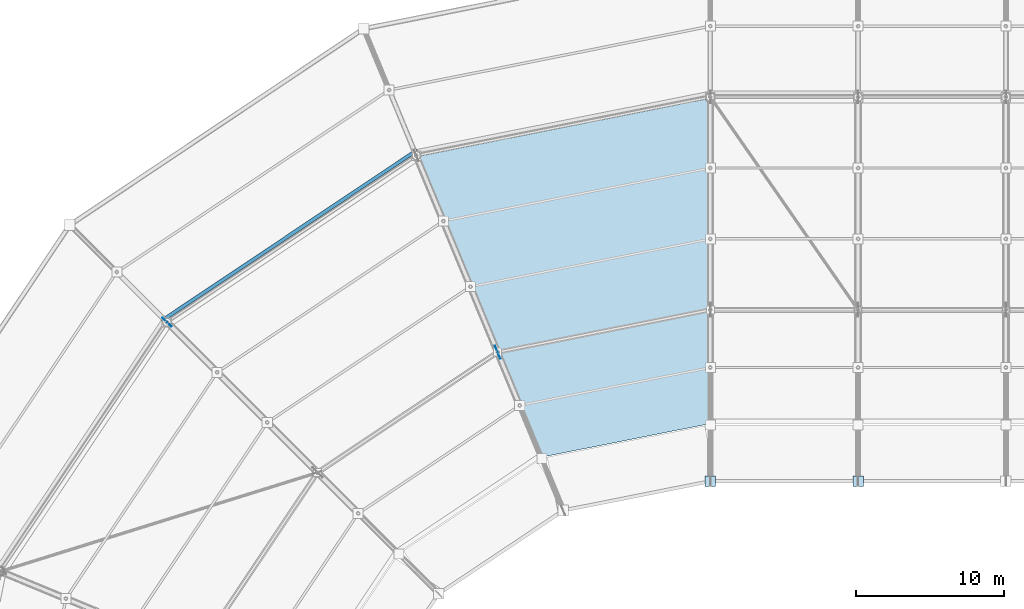
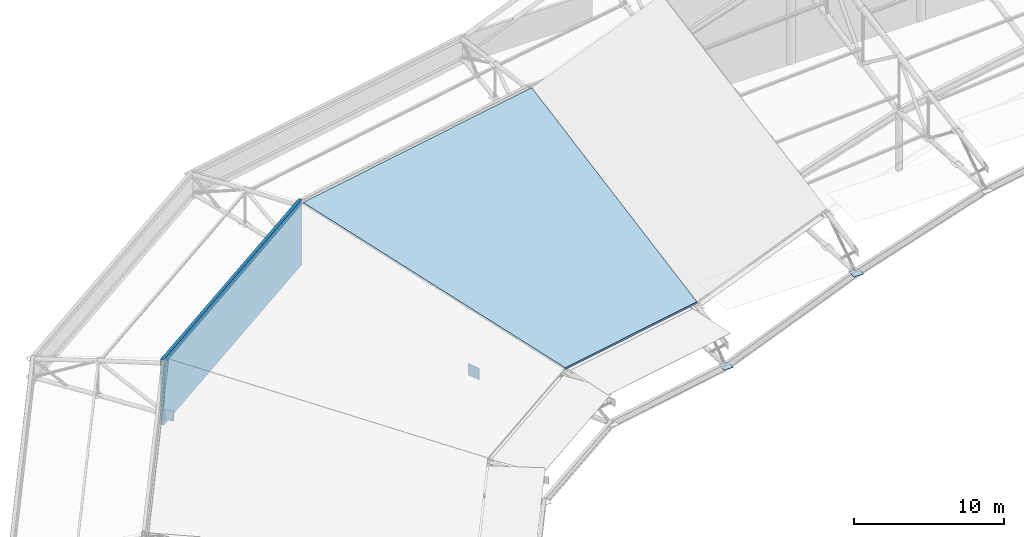
# One storey, part 110 of 146: 5 plates, 1 slab.
"""IFC4 building model written with IfcOpenShell, lengths in metres."""

from ifc_helpers import new_model, si_unit, direction, frame, origin, origin_2d, place, context, subcontext, project, spatial, polyline, rectangle, outline, extrude, material, layer, layer_set, type_object, element, save


model = new_model("IFC4")

# Units and contexts
model_context = context("Model", 3, precision=1e-05, world=origin(), true_north=direction((0.0, 1.0)))
body_context = subcontext(model_context, "Body", "Model", "MODEL_VIEW")
ifc_project = project(units=[si_unit("LENGTHUNIT", "METRE"), si_unit("AREAUNIT", "SQUARE_METRE"), si_unit("VOLUMEUNIT", "CUBIC_METRE"), si_unit("PLANEANGLEUNIT", "RADIAN"), si_unit("MASSUNIT", "GRAM", prefix="KILO")], contexts=[model_context])

# Site, building, storey
site_placement = place(None, origin())
site = spatial("IfcSite", under=ifc_project, at=site_placement, CompositionType="ELEMENT")
building_placement = place(site_placement, origin())
building = spatial("IfcBuilding", under=site, at=building_placement, Name="Candeia Ridge Stadium", CompositionType="ELEMENT")
storey_placement = place(building_placement, frame((0.0, 0.0, 31.800048828125)))
storey = spatial("IfcBuildingStorey", under=building, at=storey_placement, Name="RF", CompositionType="ELEMENT", Elevation=31.800048828125)

# Plates
ifc_material_1 = material(Name="Aluminium Anodized Warm Bronze", Category="aluminium")
ifc_layer_1 = layer(ifc_material_1, 0.239990234375, Name="Aluminium Anodized Warm Bronze", Category="aluminium")
ifc_layer_set_1 = layer_set([ifc_layer_1], Name="Aluminium Anodized Warm Bronze")
plate_type_1 = type_object("IfcPlateType", Name="Crown Perforated Bronze Acoustic Screen", PredefinedType="SHEET", material=ifc_layer_set_1)
plate_1_placement = place(storey_placement, frame((42.512939453125, 137.634033203125, -0.3251953125), z_axis=(0.0, 0.0, 1.0), x_axis=(-0.831469627148, -0.555570210802, 0.0)))
element("IfcPlate", 1, at=plate_1_placement, inside=storey, type_object=plate_type_1, Name="Crown perforated bronze acoustic screen RF bay 09", PredefinedType="SHEET", context=body_context, shape_type="SweptSolid", body=[
    extrude(rectangle(XDim=20.798583984375, YDim=0.239990234375, at=origin_2d()), origin(), (0.0, 0.0, 1.0), 5.330078125),
])
ifc_material_2 = material(Name="Steel ASTM A572 Grade 50", Category="steel")
ifc_layer_2 = layer(ifc_material_2, 0.02490234375, Name="Steel ASTM A572 Grade 50", Category="steel")
ifc_layer_set_2 = layer_set([ifc_layer_2], Name="Steel ASTM A572 Grade 50")
plate_type_2 = type_object("IfcPlateType", Name="Hollow Section End Closure Plate CP2", PredefinedType="SHEET", material=ifc_layer_set_2)
for number, where, z_axis, x_axis, name in (
    (2, (81.0, 121.0, 2.10595703125), (0.0, 0.0, 1.0), (1.0, 0.0, 0.0), "Hollow section end closure plate BCAP-TIP-06"),
    (3, (71.0, 121.0, -1.972412109375), (0.0, 0.0, 1.0), (1.0, 0.0, 0.0), "Hollow section end closure plate BCAP-TIP-07"),
):
    element("IfcPlate", number, at=place(storey_placement, frame(where, z_axis=z_axis, x_axis=x_axis)), inside=storey, type_object=plate_type_2, Name=name, PredefinedType="SHEET", context=body_context, shape_type="SweptSolid", body=[
        extrude(rectangle(XDim=0.719970703125, YDim=0.719970703125, at=origin_2d()), origin(), (0.0, 0.0, 1.0), 0.02490234375),
    ])
ifc_layer_3 = layer(ifc_material_2, 0.031982421875, Name="Steel ASTM A572 Grade 50", Category="steel")
ifc_layer_set_3 = layer_set([ifc_layer_3], Name="Steel ASTM A572 Grade 50")
plate_type_3 = type_object("IfcPlateType", Name="Roof Truss Inner Support Node Gusset ND-1", PredefinedType="USERDEFINED", material=ifc_layer_set_3)
plate_2_placement = place(storey_placement, frame((56.611083984375, 129.73779296875, -3.13916015625), z_axis=(0.0, 0.0, 1.0), x_axis=(-0.382683433413, 0.923879532077, 0.0)))
element("IfcPlate", 4, at=plate_2_placement, inside=storey, type_object=plate_type_3, Name="Roof truss inner support node ND-1 bay 09", ObjectType="GUSSET PLATE", PredefinedType="USERDEFINED", context=body_context, shape_type="SweptSolid", body=[
    extrude(rectangle(XDim=0.949951171875, YDim=0.031982421875, at=origin_2d()), origin(), (0.0, 0.0, 1.0), 0.949951171875),
])
ifc_layer_4 = layer(ifc_material_2, 0.028076171875, Name="Steel ASTM A572 Grade 50", Category="steel")
ifc_layer_set_4 = layer_set([ifc_layer_4], Name="Steel ASTM A572 Grade 50")
plate_type_4 = type_object("IfcPlateType", Name="Roof Truss Outer Tie Node Gusset ND-2", PredefinedType="USERDEFINED", material=ifc_layer_set_4)
plate_3_placement = place(storey_placement, frame((34.23046875, 131.76953125, -0.025146484375), z_axis=(0.0, 0.0, 1.0), x_axis=(-0.707106781187, 0.707106781187, 0.0)))
element("IfcPlate", 5, at=plate_3_placement, inside=storey, type_object=plate_type_4, Name="Roof truss outer support node ND-2 bay 10", ObjectType="GUSSET PLATE", PredefinedType="USERDEFINED", context=body_context, shape_type="SweptSolid", body=[
    extrude(rectangle(XDim=0.85009765625, YDim=0.028076171875, at=origin_2d()), origin(), (0.0, 0.0, 1.0), 0.85009765625),
])

# Slab
ifc_layer_5 = layer(ifc_material_2, 0.179931640625, Name="Steel ASTM A572 Grade 50", Category="steel")
ifc_layer_set_5 = layer_set([ifc_layer_5], Name="Steel ASTM A572 Grade 50")
slab_type = type_object("IfcSlabType", Name="Saddle Roof Structural Deck 180", PredefinedType="ROOF", material=ifc_layer_set_5)
slab_placement = place(storey_placement, frame((71.0, 124.89990234375, 0.911865234375), z_axis=(0.036153116313, -0.181763338981, 0.98267748564), x_axis=(-0.980786224132, -0.19508557751, -9.43866e-07)))
element("IfcSlab", 6, at=slab_placement, inside=storey, type_object=slab_type, Name="Stadium saddle roof main deck bay 08", PredefinedType="ROOF", context=body_context, shape_type="SweptSolid", body=[
    extrude(outline(polyline([(0.0, 0.0), (11.666043684987503, -4.440892098500626e-16), (15.96230742120128, -21.977804497045955), (-4.295792071394437, -21.977641905484266), (0.0, 0.0)])), origin(), (0.0, 0.0, -1.0), 0.179931640625),
])

save(model, "model.ifc")
